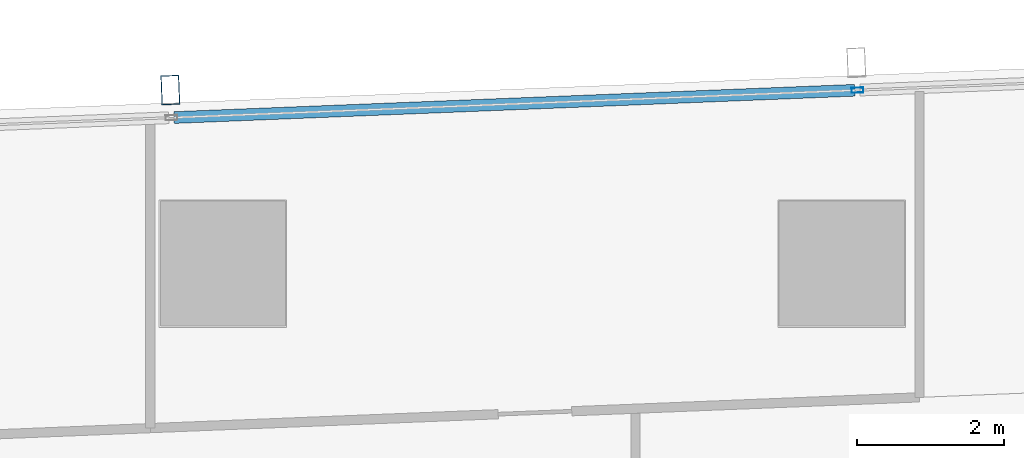
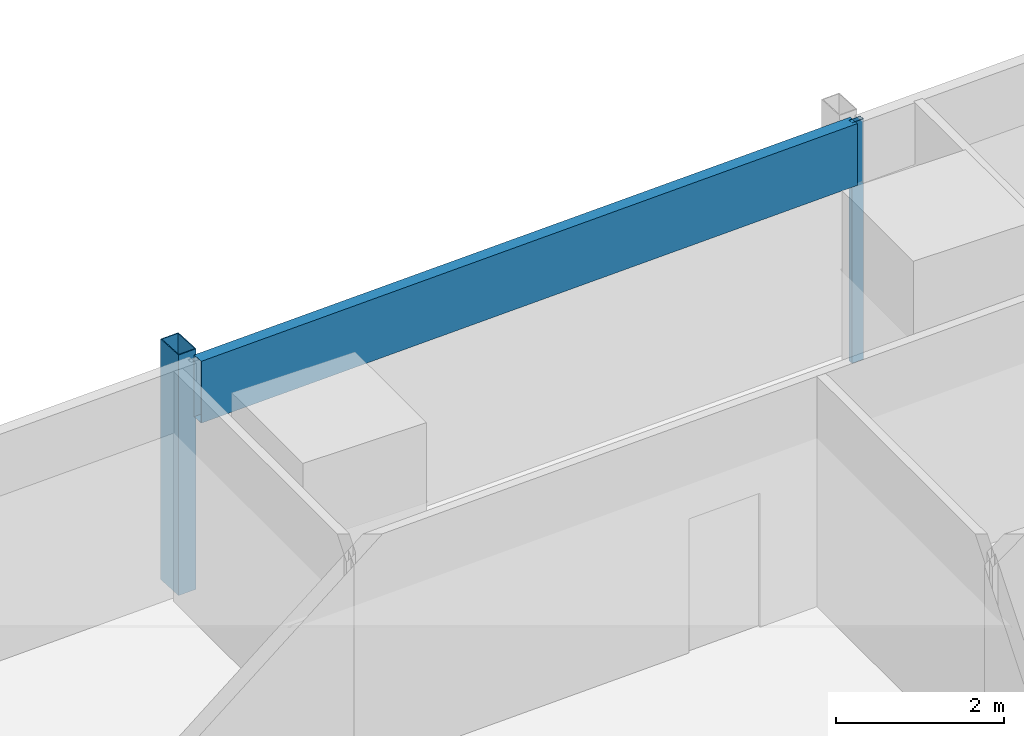
# One storey, part 16 of 40: 3 members, 1 element without a shape of its own.
"""IFC4 building model written with IfcOpenShell, lengths in metres."""

from ifc_helpers import new_model, si_unit, direction, frame, origin, origin_2d, place, context, subcontext, project, spatial, hollow_rectangle, extrude, material, material_profile, profile_set, type_object, element, aggregate, save


model = new_model("IFC4")

# Units and contexts
model_context = context("Model", 3, precision=1e-05, world=origin(), true_north=direction((0.0, 1.0)))
body_context = subcontext(model_context, "Body", "Model", "MODEL_VIEW")
ifc_project = project(units=[si_unit("LENGTHUNIT", "METRE"), si_unit("AREAUNIT", "SQUARE_METRE"), si_unit("VOLUMEUNIT", "CUBIC_METRE"), si_unit("PLANEANGLEUNIT", "RADIAN"), si_unit("MASSUNIT", "GRAM", prefix="KILO")], contexts=[model_context])

# Site, building, storey
site_placement = place(None, origin())
site = spatial("IfcSite", under=ifc_project, at=site_placement, CompositionType="ELEMENT")
building_placement = place(site_placement, origin())
building = spatial("IfcBuilding", under=site, at=building_placement, Name="Rekha Terrace Tower", CompositionType="ELEMENT")
storey_placement = place(building_placement, frame((0.0, 0.0, 125.300048828125)))
storey = spatial("IfcBuildingStorey", under=building, at=storey_placement, Name="L31", CompositionType="ELEMENT", Elevation=125.300048828125)

# Curtain wall, members
ifc_material_1 = material(Name="Aluminium framing", Category="aluminium")
curtain_wall_type = type_object("IfcCurtainWallType", Name="CW3 north unitised glazing", PredefinedType="USERDEFINED", material=ifc_material_1)
curtain_wall_placement = place(storey_placement, origin())
curtain_wall = element("IfcCurtainWall", 1, at=curtain_wall_placement, inside=storey, type_object=curtain_wall_type, Name="CW3 unitised curtain wall", ObjectType="UNITISED CURTAIN WALL", PredefinedType="USERDEFINED")
ifc_material_2 = material(Name="Steel S355 with fluorocarbon finish", Category="steel")
ifc_material_profile_1 = material_profile(ifc_material_2, hollow_rectangle(XDim=0.25, YDim=0.39990234375, WallThickness=0.012451171875, at=origin_2d()), Name="RHS400x250x12.5")
ifc_profile_set_1 = profile_set([ifc_material_profile_1], Name="Steel S355 with fluorocarbon finish")
member_type_1 = type_object("IfcMemberType", Name="BL1 facade blade RHS 400 x 250", PredefinedType="USERDEFINED", material=ifc_profile_set_1)
member_1_placement = place(storey_placement, frame((16.0869140625, 61.1552734375, 0.0), z_axis=(0.0, 0.0, 1.0), x_axis=(-0.999198382632, -0.040032388711, 0.0)))
member_1 = element("IfcMember", 2, at=member_1_placement, type_object=member_type_1, Name="Facade blade", ObjectType="FACADE BLADE", PredefinedType="USERDEFINED", context=body_context, shape_type="SweptSolid", body=[
    extrude(hollow_rectangle(XDim=0.25, YDim=0.39990234375, WallThickness=0.012451171875, at=origin_2d()), origin(), (0.0, 0.0, 1.0), 3.5),
])
ifc_material_3 = material(Name="Aluminium mullion section", Category="aluminium")
ifc_material_profile_2 = material_profile(ifc_material_3, hollow_rectangle(XDim=0.070068359375, YDim=0.159912109375, WallThickness=0.00390625, at=origin_2d()), Name="AL RHS 70x160")
ifc_profile_set_2 = profile_set([ifc_material_profile_2], Name="Aluminium mullion section")
member_type_2 = type_object("IfcMemberType", Name="CW3 mullion RHS 70 x 160", PredefinedType="MULLION", material=ifc_profile_set_2)
member_2_placement = place(storey_placement, frame((25.413818359375, 61.153564453125, 0.0), z_axis=(0.0, 0.0, 1.0), x_axis=(0.040031987119, -0.999198398721, 0.0)))
member_2 = element("IfcMember", 3, at=member_2_placement, type_object=member_type_2, Name="CW3 mullion 3", PredefinedType="MULLION", context=body_context, shape_type="SweptSolid", body=[
    extrude(hollow_rectangle(XDim=0.070068359375, YDim=0.159912109375, WallThickness=0.00390625, at=origin_2d()), origin(), (0.0, 0.0, 1.0), 3.5),
])
ifc_material_4 = material(Name="Insulated aluminium spandrel box", Category="aluminium")
ifc_material_profile_3 = material_profile(ifc_material_4, hollow_rectangle(XDim=0.159912109375, YDim=0.89990234375, WallThickness=0.0029296875, at=origin_2d()), Name="AL SPANDREL BOX 160x900")
ifc_profile_set_3 = profile_set([ifc_material_profile_3], Name="Insulated aluminium spandrel box")
member_type_3 = type_object("IfcMemberType", Name="CW3 spandrel transom 160 x 900", PredefinedType="USERDEFINED", material=ifc_profile_set_3)
member_3_placement = place(storey_placement, frame((25.37890625, 61.152099609375, 3.050048828125), z_axis=(-0.999199102424, -0.040014418831, 0.0), x_axis=(0.040014418831, -0.999199102424, 0.0)))
member_3 = element("IfcMember", 4, at=member_3_placement, type_object=member_type_3, Name="CW3 spandrel transom 3", ObjectType="TRANSOM", PredefinedType="USERDEFINED", context=body_context, shape_type="SweptSolid", body=[
    extrude(hollow_rectangle(XDim=0.159912109375, YDim=0.89990234375, WallThickness=0.0029296875, at=origin_2d()), origin(), (0.0, 0.0, 1.0), 9.24951171875),
])
aggregate(curtain_wall, [member_2, member_3, member_1])

save(model, "model.ifc")
